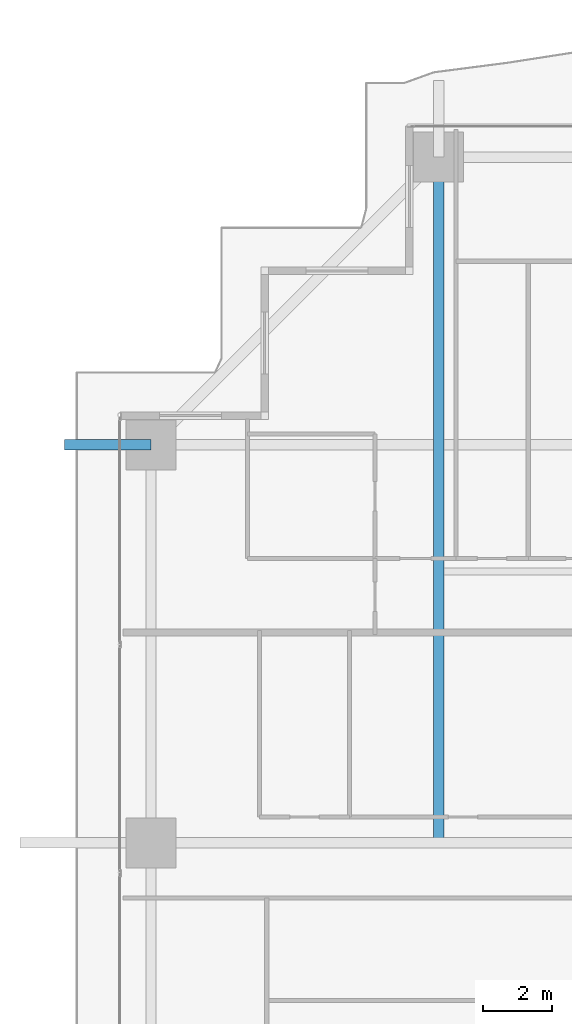
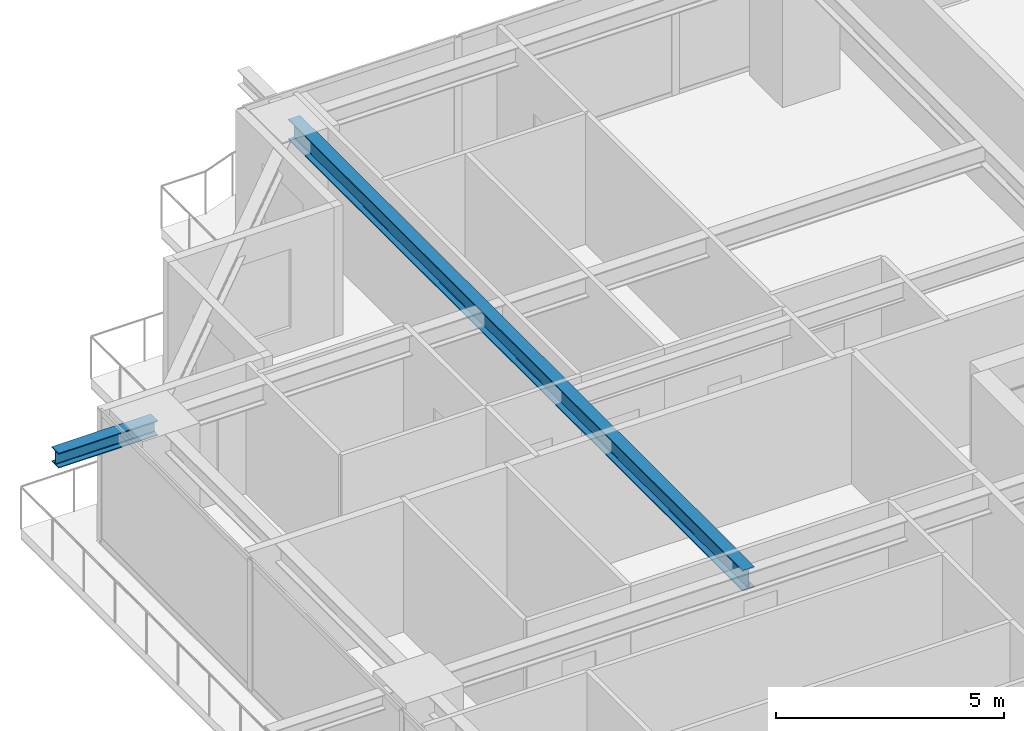
# One storey, part 17 of 38: 2 beams.
"""IFC4 building model written with IfcOpenShell, lengths in metres."""

from ifc_helpers import new_model, si_unit, direction, frame, origin, origin_2d, place, context, subcontext, project, spatial, i_section, extrude, source, transform, mapped, material, material_profile, profile_set, type_object, element, save


model = new_model("IFC4")

# Units and contexts
model_context = context("Model", 3, precision=1e-05, world=origin(), true_north=direction((0.0, 1.0)))
body_context = subcontext(model_context, "Body", "Model", "MODEL_VIEW")
ifc_project = project(units=[si_unit("LENGTHUNIT", "METRE"), si_unit("AREAUNIT", "SQUARE_METRE"), si_unit("VOLUMEUNIT", "CUBIC_METRE"), si_unit("PLANEANGLEUNIT", "RADIAN"), si_unit("MASSUNIT", "GRAM", prefix="KILO")], contexts=[model_context])

# Site, building, storey
site_placement = place(None, origin())
site = spatial("IfcSite", under=ifc_project, at=site_placement, CompositionType="ELEMENT")
building_placement = place(site_placement, origin())
building = spatial("IfcBuilding", under=site, at=building_placement, Name="Serunith Strait Residences", CompositionType="ELEMENT")
storey_placement = place(building_placement, frame((0.0, 0.0, 82.949951171875)))
storey = spatial("IfcBuildingStorey", under=building, at=storey_placement, Name="L20", CompositionType="ELEMENT", Elevation=82.949951171875)

# Beams
ifc_material = material(Name="Steel S355J2", Category="steel")
ifc_material_profile_1 = material_profile(ifc_material, i_section(OverallWidth=0.300048828125, OverallDepth=0.550048828125, WebThickness=0.014892578125, FlangeThickness=0.029052734375, FilletRadius=0.027099609375, at=origin_2d()), Name="HEB 550")
ifc_profile_set_1 = profile_set([ifc_material_profile_1], Name="Steel S355J2")
beam_type_1 = type_object("IfcBeamType", Name="BM-HEB550", PredefinedType="BEAM", material=ifc_profile_set_1)
shared_shape_1 = source(origin(), body_context, "Body", "SweptSolid", [
    extrude(i_section(OverallWidth=0.300048828125, OverallDepth=0.550048828125, WebThickness=0.014892578125, FlangeThickness=0.029052734375, FilletRadius=0.027099609375, at=origin_2d()), origin(), (0.0, 0.0, 1.0), 19.900146484375),
])
beam_1_placement = place(storey_placement, frame((15.25, 29.39990234375, 3.212158203125), z_axis=(0.0, 1.0, 0.0), x_axis=(-1.0, 0.0, 0.0)))
element("IfcBeam", 1, at=beam_1_placement, inside=storey, type_object=beam_type_1, Name="L20 Orthogonal Corner Girder TC-N1", PredefinedType="BEAM", context=body_context, shape_type="MappedRepresentation", body=[
    mapped(shared_shape_1, transform((0.0, 0.0, 0.0), scale=1.0)),
])
ifc_material_profile_2 = material_profile(ifc_material, i_section(OverallWidth=0.300048828125, OverallDepth=0.39990234375, WebThickness=0.013427734375, FlangeThickness=0.02392578125, FilletRadius=0.027099609375, at=origin_2d()), Name="HEB 400")
ifc_profile_set_2 = profile_set([ifc_material_profile_2], Name="Steel S355J2")
beam_type_2 = type_object("IfcBeamType", Name="BM-HEB400", PredefinedType="BEAM", material=ifc_profile_set_2)
shared_shape_2 = source(origin(), body_context, "Body", "SweptSolid", [
    extrude(i_section(OverallWidth=0.300048828125, OverallDepth=0.39990234375, WebThickness=0.013427734375, FlangeThickness=0.02392578125, FilletRadius=0.027099609375, at=origin_2d()), origin(), (0.0, 0.0, 1.0), 2.513916015625),
])
beam_2_placement = place(storey_placement, frame((6.89990234375, 40.949951171875, 3.257080078125), z_axis=(-1.0, 0.0, 0.0), x_axis=(0.0, -1.0, 0.0)))
element("IfcBeam", 2, at=beam_2_placement, inside=storey, type_object=beam_type_2, Name="L21 Cantilevered Balcony Rib TC-W4", PredefinedType="BEAM", context=body_context, shape_type="MappedRepresentation", body=[
    mapped(shared_shape_2, transform((0.0, 0.0, 0.0), scale=1.0)),
])

save(model, "model.ifc")
